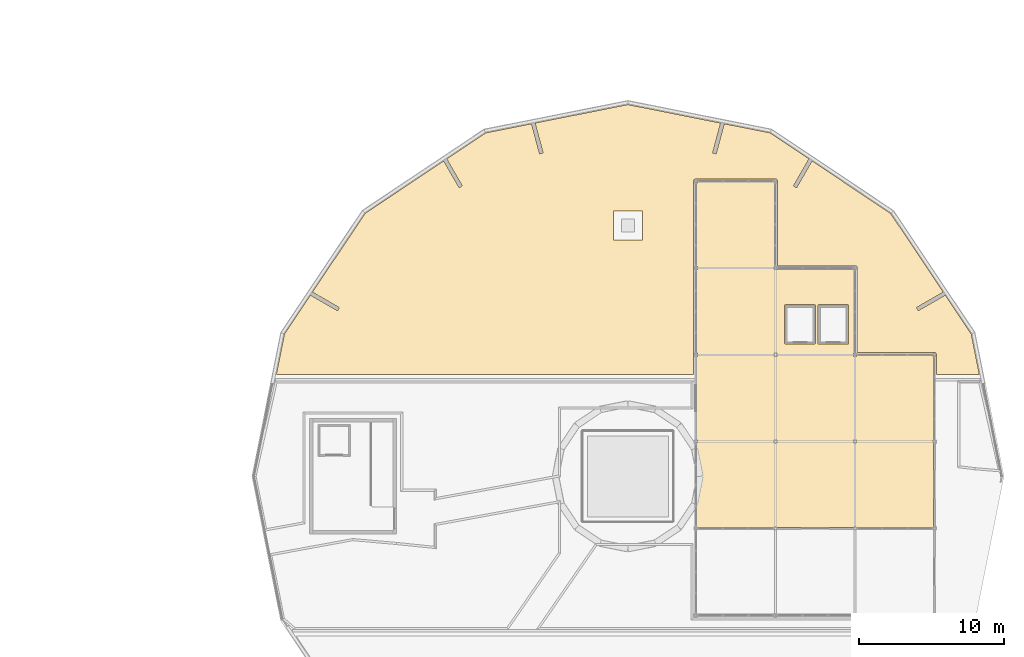
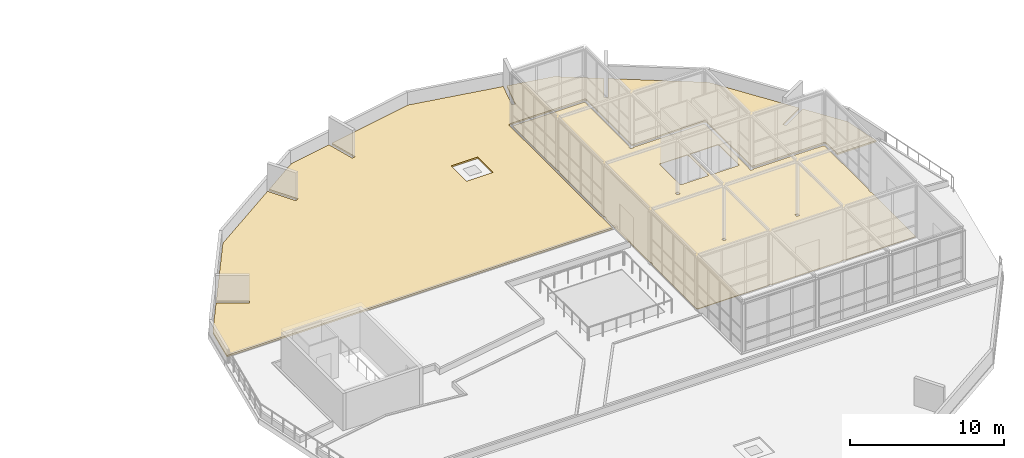
# One storey, part 39 of 40: 2 coverings.
"""IFC4 building model written with IfcOpenShell, lengths in metres."""

from ifc_helpers import new_model, si_unit, direction, frame, origin, place, context, subcontext, project, spatial, polyline, outline, extrude, material, layer, layer_set, type_object, element, save


model = new_model("IFC4")

# Units and contexts
model_context = context("Model", 3, precision=1e-05, world=origin(), true_north=direction((0.0, 1.0)))
body_context = subcontext(model_context, "Body", "Model", "MODEL_VIEW")
ifc_project = project(units=[si_unit("LENGTHUNIT", "METRE"), si_unit("AREAUNIT", "SQUARE_METRE"), si_unit("VOLUMEUNIT", "CUBIC_METRE"), si_unit("PLANEANGLEUNIT", "RADIAN"), si_unit("MASSUNIT", "GRAM", prefix="KILO")], contexts=[model_context])

# Site, building, storey
site_placement = place(None, origin())
site = spatial("IfcSite", under=ifc_project, at=site_placement, CompositionType="ELEMENT")
building_placement = place(site_placement, origin())
building = spatial("IfcBuilding", under=site, at=building_placement, Name="Ceibo Conservatory and Research Tower", CompositionType="ELEMENT")
storey_placement = place(building_placement, frame((0.0, 0.0, 6.0)))
storey = spatial("IfcBuildingStorey", under=building, at=storey_placement, Name="L01", CompositionType="ELEMENT", Elevation=6.0)

# Coverings
ifc_material_1 = material(Name="Extensive green roof substrate")
ifc_layer_1 = layer(ifc_material_1, 0.1201171875)
ifc_layer_set_1 = layer_set([ifc_layer_1], Name="Extensive green roof substrate")
covering_type_1 = type_object("IfcCoveringType", Name="Extensive green roof 120", PredefinedType="ROOFING", material=ifc_layer_set_1)
covering_1_placement = place(storey_placement, frame((0.0, 0.0, -0.050048828125)))
element("IfcCovering", 1, at=covering_1_placement, inside=storey, type_object=covering_type_1, Name="Green roof 1", PredefinedType="ROOFING", context=body_context, shape_type="SweptSolid", body=[
    extrude(outline(polyline([(174.41357421875, 60.41845703125), (173.859130859375, 58.349609375), (174.1005859375, 58.284912109375), (174.6591796875, 60.369384765625), (177.832763671875, 59.73828125), (180.523193359375, 57.940673828125), (179.444091796875, 56.07177734375), (179.66064453125, 55.94677734375), (180.7314453125, 57.801513671875), (186.16845703125, 54.16845703125), (189.801513671875, 48.7314453125), (187.94677734375, 47.66064453125), (188.07177734375, 47.444091796875), (189.940673828125, 48.523193359375), (191.73828125, 45.832763671875), (192.291748046875, 43.050048828125), (189.35009765625, 43.050048828125), (189.349365234375, 44.414794921875), (189.343505859375, 44.443603515625), (189.332275390625, 44.470703125), (189.30615234375, 44.506103515625), (189.270751953125, 44.5322265625), (189.229248046875, 44.547119140625), (189.199951171875, 44.550048828125), (183.85009765625, 44.550048828125), (183.85009765625, 50.39990234375), (183.84716796875, 50.42919921875), (183.838623046875, 50.45751953125), (183.81591796875, 50.4951171875), (183.783203125, 50.524658203125), (183.743408203125, 50.54345703125), (183.699951171875, 50.550048828125), (178.35009765625, 50.550048828125), (178.35009765625, 56.39990234375), (178.34716796875, 56.42919921875), (178.338623046875, 56.45751953125), (178.32470703125, 56.4833984375), (178.30615234375, 56.506103515625), (178.283203125, 56.524658203125), (178.25732421875, 56.53857421875), (178.229248046875, 56.547119140625), (178.199951171875, 56.550048828125), (172.699951171875, 56.550048828125), (172.656494140625, 56.54345703125), (172.61669921875, 56.524658203125), (172.583984375, 56.4951171875), (172.561279296875, 56.45751953125), (172.552978515625, 56.42919921875), (172.550048828125, 56.39990234375), (172.550048828125, 43.050048828125), (143.708251953125, 43.050048828125), (144.26171875, 45.832763671875), (146.059326171875, 48.523193359375), (147.92822265625, 47.444091796875), (148.05322265625, 47.66064453125), (146.198486328125, 48.7314453125), (149.83154296875, 54.16845703125), (155.2685546875, 57.801513671875), (156.33935546875, 55.94677734375), (156.555908203125, 56.07177734375), (155.476806640625, 57.940673828125), (158.167236328125, 59.73828125), (161.3408203125, 60.369384765625), (161.8994140625, 58.284912109375), (162.140869140625, 58.349609375), (161.58642578125, 60.41845703125), (168.0, 61.694091796875), (174.41357421875, 60.41845703125)]), holes=[polyline([(167.0, 54.33740234375), (167.0, 52.33740234375), (169.0, 52.33740234375), (169.0, 54.33740234375), (167.0, 54.33740234375)])]), origin(), (0.0, 0.0, 1.0), 0.1201171875),
])
ifc_material_2 = material(Name="Terrazzo floor finish")
ifc_layer_2 = layer(ifc_material_2, 0.050048828125)
ifc_layer_set_2 = layer_set([ifc_layer_2], Name="Terrazzo floor finish")
covering_type_2 = type_object("IfcCoveringType", Name="Sky gallery floor finish 50", PredefinedType="FLOORING", material=ifc_layer_set_2)
covering_2_placement = place(storey_placement, frame((0.0, 0.0, -0.050048828125)))
element("IfcCovering", 2, at=covering_2_placement, inside=storey, type_object=covering_type_2, Name="Sky Gallery floor finish 1", PredefinedType="FLOORING", context=body_context, shape_type="SweptSolid", body=[
    extrude(outline(polyline([(178.090087890625, 56.340087890625), (178.090087890625, 56.2900390625), (178.139892578125, 56.2900390625), (178.139892578125, 50.510009765625), (178.090087890625, 50.510009765625), (178.090087890625, 50.2900390625), (178.31005859375, 50.2900390625), (178.31005859375, 50.340087890625), (183.590087890625, 50.340087890625), (183.590087890625, 50.2900390625), (183.639892578125, 50.2900390625), (183.639892578125, 44.510009765625), (183.590087890625, 44.510009765625), (183.590087890625, 44.2900390625), (183.81005859375, 44.2900390625), (183.81005859375, 44.340087890625), (189.090087890625, 44.340087890625), (189.090087890625, 44.2900390625), (189.139892578125, 44.2900390625), (189.139892578125, 38.510009765625), (189.090087890625, 38.510009765625), (189.090087890625, 38.2900390625), (189.139892578125, 38.2900390625), (189.139892578125, 32.510009765625), (189.090087890625, 32.510009765625), (189.090087890625, 32.4599609375), (183.81005859375, 32.4599609375), (183.81005859375, 32.510009765625), (183.590087890625, 32.510009765625), (183.590087890625, 32.4599609375), (178.31005859375, 32.4599609375), (178.31005859375, 32.510009765625), (178.090087890625, 32.510009765625), (178.090087890625, 32.4599609375), (172.81005859375, 32.4599609375), (172.81005859375, 32.510009765625), (172.760009765625, 32.510009765625), (172.760009765625, 38.2900390625), (172.81005859375, 38.2900390625), (172.81005859375, 38.510009765625), (172.760009765625, 38.510009765625), (172.760009765625, 44.2900390625), (172.81005859375, 44.2900390625), (172.81005859375, 44.510009765625), (172.760009765625, 44.510009765625), (172.760009765625, 50.2900390625), (172.81005859375, 50.2900390625), (172.81005859375, 50.510009765625), (172.760009765625, 50.510009765625), (172.760009765625, 56.2900390625), (172.81005859375, 56.2900390625), (172.81005859375, 56.340087890625), (178.090087890625, 56.340087890625)]), holes=[polyline([(178.31005859375, 38.2900390625), (178.31005859375, 38.510009765625), (178.090087890625, 38.510009765625), (178.090087890625, 38.2900390625), (178.31005859375, 38.2900390625)]), polyline([(178.090087890625, 44.2900390625), (178.31005859375, 44.2900390625), (178.31005859375, 44.510009765625), (178.090087890625, 44.510009765625), (178.090087890625, 44.2900390625)]), polyline([(178.84716796875, 47.828369140625), (178.844482421875, 47.822998046875), (178.842529296875, 47.8173828125), (178.84130859375, 47.811767578125), (178.84033203125, 47.805908203125), (178.840087890625, 47.800048828125), (178.840087890625, 45.199951171875), (178.84033203125, 45.194091796875), (178.84130859375, 45.188232421875), (178.842529296875, 45.1826171875), (178.844482421875, 45.177001953125), (178.84716796875, 45.171630859375), (178.85009765625, 45.166748046875), (178.853515625, 45.161865234375), (178.857666015625, 45.15771484375), (178.86181640625, 45.153564453125), (178.86669921875, 45.150146484375), (178.87158203125, 45.147216796875), (178.876953125, 45.14453125), (178.882568359375, 45.142578125), (178.88818359375, 45.14111328125), (178.89404296875, 45.140380859375), (178.89990234375, 45.139892578125), (180.89990234375, 45.139892578125), (180.906005859375, 45.140380859375), (180.91162109375, 45.14111328125), (180.91748046875, 45.142578125), (180.923095703125, 45.14453125), (180.92822265625, 45.147216796875), (180.933349609375, 45.150146484375), (180.93798828125, 45.153564453125), (180.9423828125, 45.15771484375), (180.9462890625, 45.161865234375), (180.949951171875, 45.166748046875), (180.952880859375, 45.171630859375), (180.955322265625, 45.177001953125), (180.95751953125, 45.1826171875), (180.958740234375, 45.188232421875), (180.959716796875, 45.194091796875), (180.9599609375, 45.199951171875), (180.9599609375, 47.800048828125), (180.959716796875, 47.805908203125), (180.958740234375, 47.811767578125), (180.95751953125, 47.8173828125), (180.955322265625, 47.822998046875), (180.952880859375, 47.828369140625), (180.949951171875, 47.833251953125), (180.9462890625, 47.838134765625), (180.9423828125, 47.84228515625), (180.93798828125, 47.846435546875), (180.933349609375, 47.849853515625), (180.92822265625, 47.852783203125), (180.923095703125, 47.85546875), (180.91748046875, 47.857421875), (180.91162109375, 47.85888671875), (180.906005859375, 47.859619140625), (180.89990234375, 47.860107421875), (178.89990234375, 47.860107421875), (178.89404296875, 47.859619140625), (178.88818359375, 47.85888671875), (178.882568359375, 47.857421875), (178.876953125, 47.85546875), (178.87158203125, 47.852783203125), (178.86669921875, 47.849853515625), (178.86181640625, 47.846435546875), (178.857666015625, 47.84228515625), (178.853515625, 47.838134765625), (178.85009765625, 47.833251953125), (178.84716796875, 47.828369140625)]), polyline([(181.147216796875, 47.828369140625), (181.14453125, 47.822998046875), (181.142578125, 47.8173828125), (181.14111328125, 47.811767578125), (181.140380859375, 47.805908203125), (181.139892578125, 47.800048828125), (181.139892578125, 45.199951171875), (181.140380859375, 45.194091796875), (181.14111328125, 45.188232421875), (181.142578125, 45.1826171875), (181.14453125, 45.177001953125), (181.147216796875, 45.171630859375), (181.150146484375, 45.166748046875), (181.153564453125, 45.161865234375), (181.15771484375, 45.15771484375), (181.161865234375, 45.153564453125), (181.166748046875, 45.150146484375), (181.171630859375, 45.147216796875), (181.177001953125, 45.14453125), (181.1826171875, 45.142578125), (181.188232421875, 45.14111328125), (181.194091796875, 45.140380859375), (181.199951171875, 45.139892578125), (183.199951171875, 45.139892578125), (183.205810546875, 45.140380859375), (183.211669921875, 45.14111328125), (183.21728515625, 45.142578125), (183.222900390625, 45.14453125), (183.228271484375, 45.147216796875), (183.2333984375, 45.150146484375), (183.238037109375, 45.153564453125), (183.242431640625, 45.15771484375), (183.246337890625, 45.161865234375), (183.25, 45.166748046875), (183.2529296875, 45.171630859375), (183.25537109375, 45.177001953125), (183.25732421875, 45.1826171875), (183.2587890625, 45.188232421875), (183.259765625, 45.194091796875), (183.260009765625, 45.199951171875), (183.260009765625, 47.800048828125), (183.259765625, 47.805908203125), (183.2587890625, 47.811767578125), (183.25732421875, 47.8173828125), (183.25537109375, 47.822998046875), (183.2529296875, 47.828369140625), (183.25, 47.833251953125), (183.246337890625, 47.838134765625), (183.242431640625, 47.84228515625), (183.238037109375, 47.846435546875), (183.2333984375, 47.849853515625), (183.228271484375, 47.852783203125), (183.222900390625, 47.85546875), (183.21728515625, 47.857421875), (183.211669921875, 47.85888671875), (183.205810546875, 47.859619140625), (183.199951171875, 47.860107421875), (181.199951171875, 47.860107421875), (181.194091796875, 47.859619140625), (181.188232421875, 47.85888671875), (181.1826171875, 47.857421875), (181.177001953125, 47.85546875), (181.171630859375, 47.852783203125), (181.166748046875, 47.849853515625), (181.161865234375, 47.846435546875), (181.15771484375, 47.84228515625), (181.153564453125, 47.838134765625), (181.150146484375, 47.833251953125), (181.147216796875, 47.828369140625)]), polyline([(183.81005859375, 38.2900390625), (183.81005859375, 38.510009765625), (183.590087890625, 38.510009765625), (183.590087890625, 38.2900390625), (183.81005859375, 38.2900390625)])]), origin(), (0.0, 0.0, 1.0), 0.050048828125),
])

save(model, "model.ifc")
